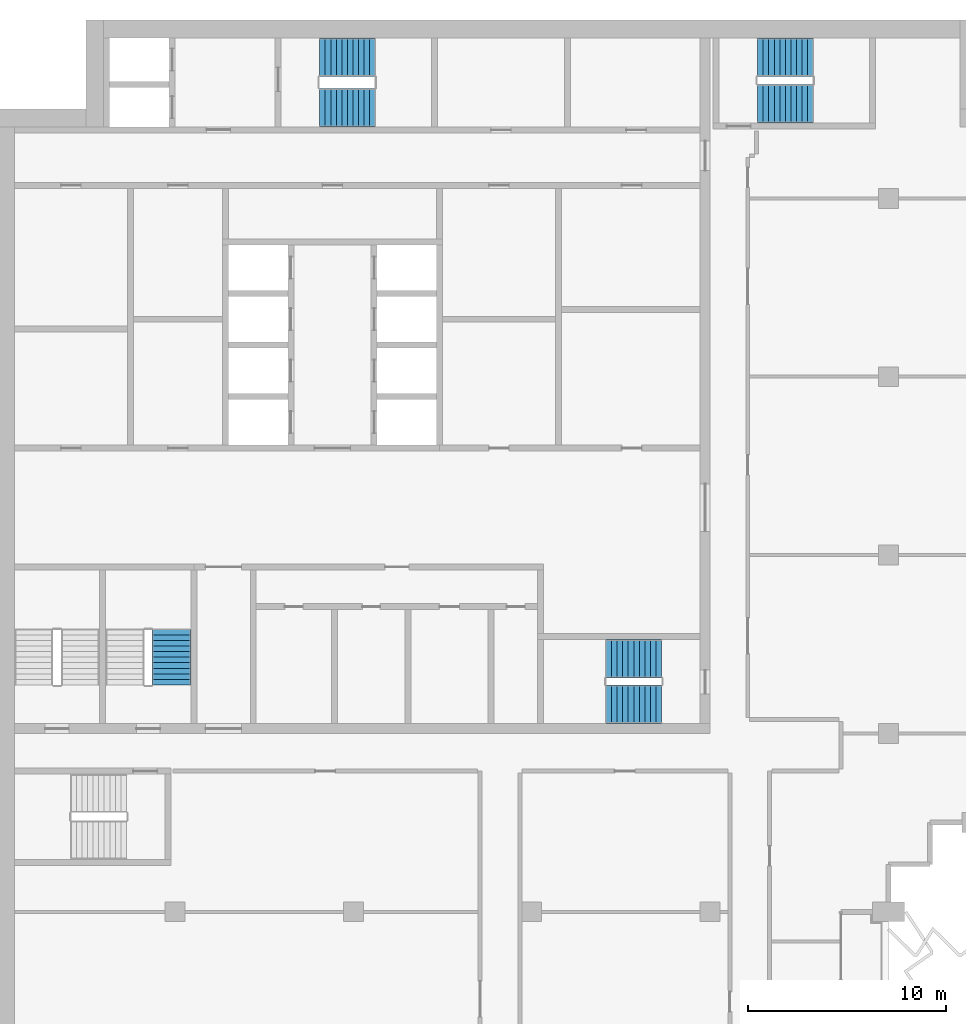
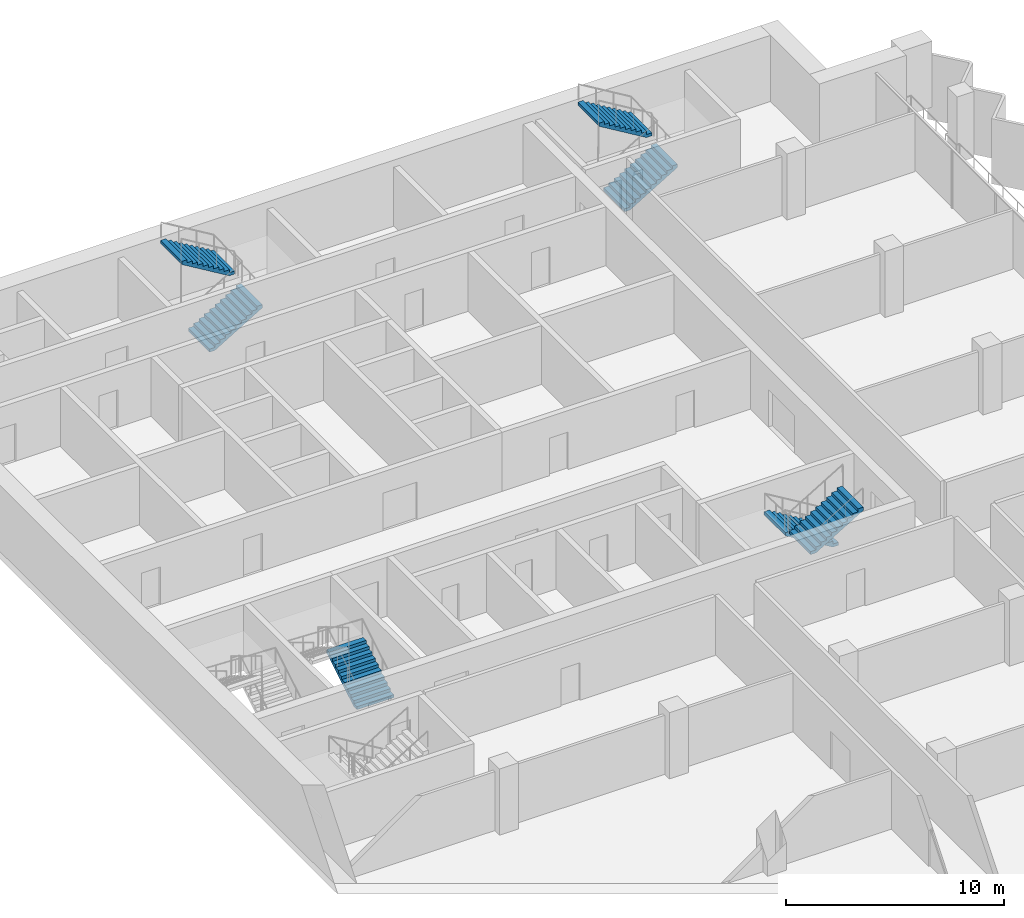
# One storey, part 11 of 15: 7 stair flights, 4 elements without a shape of their own.
"""IFC4 building model written with IfcOpenShell, lengths in metres."""

import ifcopenshell
import ifcopenshell.guid

model = None  # the IFC model being written
_history = None  # IfcOwnerHistory: only IFC2X3 demands one
_inside = {}  # id of a spatial element -> (the spatial element, [elements in it])
_under = {}  # id of a project, library or spatial element -> (it, [spatial elements below it])
_declared = {}  # id of a project -> (the project, [libraries it declares])
_typed = {}  # id of a type object -> (the type object, [elements of that type])
_made_of = {}  # id of a material, layer set ... -> (it, [elements and type objects made of it])


def new_model(schema):
    """Start an empty IFC model of exactly this schema.

    Asked for "IFC4X3", IfcOpenShell would pick the latest addendum, in which some entities
    have other attributes; the version numbers below select the first issue.
    IFC2X3 requires an IfcOwnerHistory on every rooted entity: one is made here for all.
    """
    global model, _history
    if schema == "IFC4X3":
        model = ifcopenshell.file(schema_version=(4, 3, 0, 0))
    else:
        model = ifcopenshell.file(schema=schema)
    _inside.clear()
    _under.clear()
    _declared.clear()
    _typed.clear()
    _made_of.clear()
    _history = None
    if model.schema == "IFC2X3":
        org = make("IfcOrganization", Name="unknown")
        user = make(
            "IfcPersonAndOrganization",
            ThePerson=make("IfcPerson", FamilyName="unknown"),
            TheOrganization=org,
        )
        app = make(
            "IfcApplication",
            ApplicationDeveloper=org,
            Version="unknown",
            ApplicationFullName="unknown",
            ApplicationIdentifier="unknown",
        )
        _history = make(
            "IfcOwnerHistory",
            OwningUser=user,
            OwningApplication=app,
            ChangeAction="ADDED",
            CreationDate=0,
        )
    return model


def make(cls, **values):
    """One entity of the class cls with the attributes given. An attribute that is None is left unset."""
    return model.create_entity(
        cls, **{name: value for name, value in values.items() if value is not None}
    )


def rooted(cls, **values):
    """An entity with a GlobalId (a new one), such as an element, a storey or a relation."""
    return make(cls, GlobalId=ifcopenshell.guid.new(), OwnerHistory=_history, **values)


def si_unit(unit_type, name, prefix=None):
    """IfcSIUnit, for example si_unit("LENGTHUNIT", "METRE", prefix="MILLI")."""
    return make("IfcSIUnit", UnitType=unit_type, Prefix=prefix, Name=name)


def assignment(units):
    """IfcUnitAssignment: the units of a project."""
    return None if units is None else make("IfcUnitAssignment", Units=units)


def point(xyz):
    """IfcCartesianPoint."""
    return None if xyz is None else make("IfcCartesianPoint", Coordinates=xyz)


def direction(xyz):
    """IfcDirection."""
    return None if xyz is None else make("IfcDirection", DirectionRatios=xyz)


def frame(location, z_axis=None, x_axis=None):
    """IfcAxis2Placement3D, a coordinate frame: its origin and axes. An axis left out is left unset."""
    return make(
        "IfcAxis2Placement3D",
        Location=point(location),
        Axis=direction(z_axis),
        RefDirection=direction(x_axis),
    )


def origin():
    """The frame at (0, 0, 0) with its axes left unset."""
    return frame((0.0, 0.0, 0.0))


def place(relative_to, where):
    """IfcLocalPlacement: puts the frame where relative to a parent placement (None: the world)."""
    return make(
        "IfcLocalPlacement", PlacementRelTo=relative_to, RelativePlacement=where
    )


def context(
    kind, dimensions, precision=None, world=None, true_north=None, identifier=None
):
    """IfcGeometricRepresentationContext, for example the 3D "Model" context."""
    return make(
        "IfcGeometricRepresentationContext",
        ContextIdentifier=identifier,
        ContextType=kind,
        CoordinateSpaceDimension=dimensions,
        Precision=precision,
        WorldCoordinateSystem=world,
        TrueNorth=true_north,
    )


def subcontext(parent, identifier, kind, view, scale=None):
    """IfcGeometricRepresentationSubContext, for example "Body" below "Model"."""
    return make(
        "IfcGeometricRepresentationSubContext",
        ContextIdentifier=identifier,
        ContextType=kind,
        ParentContext=parent,
        TargetScale=scale,
        TargetView=view,
    )


def project(units=None, contexts=None):
    """IfcProject with its units and contexts."""
    return rooted(
        "IfcProject",
        Name="project",
        RepresentationContexts=contexts,
        UnitsInContext=assignment(units),
    )


def spatial(cls, under=None, at=None, **own):
    """A site, building, storey or space (cls), placed at a placement, below another one or the project."""
    s = rooted(cls, ObjectPlacement=at, **own)
    if under is not None:
        _under.setdefault(under.id(), (under, []))[1].append(s)
    return s


def polyline(points):
    """IfcPolyline through the points."""
    return make("IfcPolyline", Points=[point(p) for p in points])


def outline(outer, holes=None, kind="AREA"):
    """IfcArbitraryClosedProfileDef: a profile drawn as a closed curve; with holes, ...WithVoids."""
    if holes is None:
        return make("IfcArbitraryClosedProfileDef", ProfileType=kind, OuterCurve=outer)
    return make(
        "IfcArbitraryProfileDefWithVoids",
        ProfileType=kind,
        OuterCurve=outer,
        InnerCurves=holes,
    )


def extrude(swept, where, along, depth):
    """IfcExtrudedAreaSolid: the profile swept, set in the frame where, extruded along a direction by depth."""
    return make(
        "IfcExtrudedAreaSolid",
        SweptArea=swept,
        Position=where,
        ExtrudedDirection=direction(along),
        Depth=depth,
    )


def shape(context_of_items, identifier, shape_type, items):
    """IfcShapeRepresentation: the items that make up one representation, for example the "Body"."""
    return make(
        "IfcShapeRepresentation",
        ContextOfItems=context_of_items,
        RepresentationIdentifier=identifier,
        RepresentationType=shape_type,
        Items=items,
    )


def material(Name=None, Category=None):
    """IfcMaterial."""
    return make("IfcMaterial", Name=Name, Category=Category)


def made_of(thing, what):
    """Note that an element or type object is made of a material, layer set ...; save() writes the relation."""
    if what is not None:
        _made_of.setdefault(what.id(), (what, []))[1].append(thing)
    return thing


def type_object(cls, material=None, **own):
    """A type object (cls), such as IfcWallType, which elements share."""
    return made_of(rooted(cls, **own), material)


def element(
    cls,
    number,
    at=None,
    inside=None,
    cuts=None,
    type_object=None,
    material=None,
    context=None,
    identifier="Body",
    shape_type=None,
    held_by="IfcProductDefinitionShape",
    body=None,
    shapes=None,
    **own,
):
    """One element of the class cls, such as IfcWall. Its Tag is "e" and its number.

    at: its placement. inside: the storey or other place that contains it. cuts: it is an
    opening in that element (IfcRelVoidsElement). A single representation is given by context,
    identifier, shape_type and body (its items); several are given by shapes. held_by: the class
    of the entity that holds the representations. save() writes the other relations.
    """
    e = rooted(cls, Tag="e%d" % number, ObjectPlacement=at, **own)
    if body is not None:
        shapes = [shape(context, identifier, shape_type, body)]
    if shapes is not None:
        e.Representation = make(held_by, Representations=shapes)
    if inside is not None:
        _inside.setdefault(inside.id(), (inside, []))[1].append(e)
    if cuts is not None:
        rooted(
            "IfcRelVoidsElement", RelatingBuildingElement=cuts, RelatedOpeningElement=e
        )
    if type_object is not None:
        _typed.setdefault(type_object.id(), (type_object, []))[1].append(e)
    return made_of(e, material)


def aggregate(whole, parts):
    """IfcRelAggregates: a whole, such as a stair, and the parts it consists of."""
    return rooted("IfcRelAggregates", RelatingObject=whole, RelatedObjects=parts)


def save(model, path):
    """Write the relations noted so far, then the file.

    IfcRelAggregates (storeys below a building ...), IfcRelContainedInSpatialStructure (elements
    in a storey), IfcRelDefinesByType, IfcRelAssociatesMaterial and IfcRelDeclares: one each for
    every whole, place, type object, material and project.
    """
    for whole, parts in _under.values():
        aggregate(whole, parts)
    for where, things in _inside.values():
        rooted(
            "IfcRelContainedInSpatialStructure",
            RelatedElements=things,
            RelatingStructure=where,
        )
    for kind, things in _typed.values():
        rooted("IfcRelDefinesByType", RelatedObjects=things, RelatingType=kind)
    for what, things in _made_of.values():
        rooted("IfcRelAssociatesMaterial", RelatedObjects=things, RelatingMaterial=what)
    for by, libraries in _declared.values():
        rooted("IfcRelDeclares", RelatingContext=by, RelatedDefinitions=libraries)
    model.write(path)


model = new_model("IFC4")

# Units and contexts
model_context = context("Model", 3, precision=1e-05, world=origin(), true_north=direction((0.0, 1.0)))
body_context = subcontext(model_context, "Body", "Model", "MODEL_VIEW")
ifc_project = project(units=[si_unit("LENGTHUNIT", "METRE"), si_unit("AREAUNIT", "SQUARE_METRE"), si_unit("VOLUMEUNIT", "CUBIC_METRE"), si_unit("PLANEANGLEUNIT", "RADIAN"), si_unit("MASSUNIT", "GRAM", prefix="KILO")], contexts=[model_context])

# Site, building, storey
site_placement = place(None, origin())
site = spatial("IfcSite", under=ifc_project, at=site_placement, CompositionType="ELEMENT")
building_placement = place(site_placement, origin())
building = spatial("IfcBuilding", under=site, at=building_placement, Name="Hunhe Ridgeline Campus", CompositionType="ELEMENT")
storey_placement = place(building_placement, frame((0.0, 0.0, 231.800048828125)))
storey = spatial("IfcBuildingStorey", under=building, at=storey_placement, Name="L59", CompositionType="ELEMENT", Elevation=231.800048828125)

# Stair, stair flights
ifc_material = material(Name="Concrete C40", Category="concrete")
stair_type = type_object("IfcStairType", Name="Reinforced concrete dog-leg stair 1950 Concrete C40", PredefinedType="HALF_TURN_STAIR", material=ifc_material)
stair_1_placement = place(storey_placement, origin())
stair_1 = element("IfcStair", 1, at=stair_1_placement, inside=storey, type_object=stair_type, Name="L59 S1", PredefinedType="HALF_TURN_STAIR")
stair_flight_type = type_object("IfcStairFlightType", Name="Reinforced concrete stair flight 1950 Concrete C40", PredefinedType="STRAIGHT", material=ifc_material)
stair_flight_1_placement = place(storey_placement, frame((16.300048828125, 94.574951171875, 0.0), z_axis=(0.0, 0.0, 1.0), x_axis=(1.0, 0.0, 0.0)))
stair_flight_1 = element("IfcStairFlight", 2, at=stair_flight_1_placement, type_object=stair_flight_type, Name="ST1 flight 1", NumberOfRisers=11, NumberOfTreads=10, PredefinedType="STRAIGHT", RiserHeight=0.168181818, TreadLength=0.28, context=body_context, shape_type="SweptSolid", body=[
    extrude(outline(polyline([(0.0, 0.0), (0.0, 0.168212890625), (0.280029296875, 0.168212890625), (0.280029296875, 0.33642578125), (0.56005859375, 0.33642578125), (0.56005859375, 0.504638671875), (0.840087890625, 0.504638671875), (0.840087890625, 0.672607421875), (1.1201171875, 0.672607421875), (1.1201171875, 0.8408203125), (1.39990234375, 0.8408203125), (1.39990234375, 1.009033203125), (1.679931640625, 1.009033203125), (1.679931640625, 1.17724609375), (1.9599609375, 1.17724609375), (1.9599609375, 1.345458984375), (2.239990234375, 1.345458984375), (2.239990234375, 1.513671875), (2.52001953125, 1.513671875), (2.52001953125, 1.681884765625), (2.800048828125, 1.681884765625), (2.800048828125, 1.85009765625), (2.800048828125, 1.5068359375), (0.291015625, 0.0), (0.0, 0.0)])), frame((0.0, 0.97509765625, 0.0), z_axis=(0.0, -1.0, 0.0), x_axis=(1.0, 0.0, 0.0)), (0.0, 0.0, 1.0), 1.949951171875),
    extrude(outline(polyline([(0.030029296875, 0.030029296875), (0.030029296875, 0.13818359375), (0.31005859375, 0.13818359375), (0.31005859375, 0.306396484375), (0.590087890625, 0.306396484375), (0.590087890625, 0.474609375), (0.8701171875, 0.474609375), (0.8701171875, 0.642578125), (1.14990234375, 0.642578125), (1.14990234375, 0.810791015625), (1.429931640625, 0.810791015625), (1.429931640625, 0.97900390625), (1.7099609375, 0.97900390625), (1.7099609375, 1.147216796875), (1.989990234375, 1.147216796875), (1.989990234375, 1.3154296875), (2.27001953125, 1.3154296875), (2.27001953125, 1.483642578125), (2.550048828125, 1.483642578125), (2.550048828125, 1.65185546875), (2.77001953125, 1.65185546875), (2.77001953125, 1.52392578125), (0.28271484375, 0.030029296875), (0.030029296875, 0.030029296875)])), frame((0.0, -0.070068359375, 0.0), z_axis=(0.0, -1.0, 0.0), x_axis=(1.0, 0.0, 0.0)), (0.0, 0.0, 1.0), 0.019775390625),
    extrude(outline(polyline([(0.030029296875, 0.030029296875), (0.030029296875, 0.13818359375), (0.31005859375, 0.13818359375), (0.31005859375, 0.306396484375), (0.590087890625, 0.306396484375), (0.590087890625, 0.474609375), (0.8701171875, 0.474609375), (0.8701171875, 0.642578125), (1.14990234375, 0.642578125), (1.14990234375, 0.810791015625), (1.429931640625, 0.810791015625), (1.429931640625, 0.97900390625), (1.7099609375, 0.97900390625), (1.7099609375, 1.147216796875), (1.989990234375, 1.147216796875), (1.989990234375, 1.3154296875), (2.27001953125, 1.3154296875), (2.27001953125, 1.483642578125), (2.550048828125, 1.483642578125), (2.550048828125, 1.65185546875), (2.77001953125, 1.65185546875), (2.77001953125, 1.52392578125), (0.28271484375, 0.030029296875), (0.030029296875, 0.030029296875)])), frame((0.0, 0.010009765625, 0.0), z_axis=(0.0, -1.0, 0.0), x_axis=(1.0, 0.0, 0.0)), (0.0, 0.0, 1.0), 0.019775390625),
    extrude(outline(polyline([(0.030029296875, 0.030029296875), (0.030029296875, 0.13818359375), (0.31005859375, 0.13818359375), (0.31005859375, 0.306396484375), (0.590087890625, 0.306396484375), (0.590087890625, 0.474609375), (0.8701171875, 0.474609375), (0.8701171875, 0.642578125), (1.14990234375, 0.642578125), (1.14990234375, 0.810791015625), (1.429931640625, 0.810791015625), (1.429931640625, 0.97900390625), (1.7099609375, 0.97900390625), (1.7099609375, 1.147216796875), (1.989990234375, 1.147216796875), (1.989990234375, 1.3154296875), (2.27001953125, 1.3154296875), (2.27001953125, 1.483642578125), (2.550048828125, 1.483642578125), (2.550048828125, 1.65185546875), (2.77001953125, 1.65185546875), (2.77001953125, 1.52392578125), (0.28271484375, 0.030029296875), (0.030029296875, 0.030029296875)])), frame((0.0, 0.090087890625, 0.0), z_axis=(0.0, -1.0, 0.0), x_axis=(1.0, 0.0, 0.0)), (0.0, 0.0, 1.0), 0.019775390625),
])
stair_flight_2_placement = place(storey_placement, frame((19.10009765625, 97.125, 1.849853515625), z_axis=(0.0, 0.0, 1.0), x_axis=(-1.0, 0.0, 0.0)))
stair_flight_2 = element("IfcStairFlight", 3, at=stair_flight_2_placement, type_object=stair_flight_type, Name="ST1 flight 2", NumberOfRisers=11, NumberOfTreads=10, PredefinedType="STRAIGHT", RiserHeight=0.168181818, TreadLength=0.28, context=body_context, shape_type="SweptSolid", body=[
    extrude(outline(polyline([(0.0, 0.0), (0.0, 0.168212890625), (0.280029296875, 0.168212890625), (0.280029296875, 0.33642578125), (0.56005859375, 0.33642578125), (0.56005859375, 0.504638671875), (0.840087890625, 0.504638671875), (0.840087890625, 0.672607421875), (1.1201171875, 0.672607421875), (1.1201171875, 0.8408203125), (1.39990234375, 0.8408203125), (1.39990234375, 1.009033203125), (1.679931640625, 1.009033203125), (1.679931640625, 1.17724609375), (1.9599609375, 1.17724609375), (1.9599609375, 1.345458984375), (2.239990234375, 1.345458984375), (2.239990234375, 1.513671875), (2.52001953125, 1.513671875), (2.52001953125, 1.681884765625), (2.800048828125, 1.681884765625), (2.800048828125, 1.85009765625), (2.800048828125, 1.5068359375), (0.291015625, 0.0), (0.0, 0.0)])), frame((0.0, 0.97509765625, 0.0), z_axis=(0.0, -1.0, 0.0), x_axis=(1.0, 0.0, 0.0)), (0.0, 0.0, 1.0), 1.949951171875),
    extrude(outline(polyline([(0.030029296875, 0.030029296875), (0.030029296875, 0.13818359375), (0.31005859375, 0.13818359375), (0.31005859375, 0.306396484375), (0.590087890625, 0.306396484375), (0.590087890625, 0.474609375), (0.8701171875, 0.474609375), (0.8701171875, 0.642578125), (1.14990234375, 0.642578125), (1.14990234375, 0.810791015625), (1.429931640625, 0.810791015625), (1.429931640625, 0.97900390625), (1.7099609375, 0.97900390625), (1.7099609375, 1.147216796875), (1.989990234375, 1.147216796875), (1.989990234375, 1.3154296875), (2.27001953125, 1.3154296875), (2.27001953125, 1.483642578125), (2.550048828125, 1.483642578125), (2.550048828125, 1.65185546875), (2.77001953125, 1.65185546875), (2.77001953125, 1.52392578125), (0.28271484375, 0.030029296875), (0.030029296875, 0.030029296875)])), frame((0.0, -0.070068359375, 0.0), z_axis=(0.0, -1.0, 0.0), x_axis=(1.0, 0.0, 0.0)), (0.0, 0.0, 1.0), 0.019775390625),
    extrude(outline(polyline([(0.030029296875, 0.030029296875), (0.030029296875, 0.13818359375), (0.31005859375, 0.13818359375), (0.31005859375, 0.306396484375), (0.590087890625, 0.306396484375), (0.590087890625, 0.474609375), (0.8701171875, 0.474609375), (0.8701171875, 0.642578125), (1.14990234375, 0.642578125), (1.14990234375, 0.810791015625), (1.429931640625, 0.810791015625), (1.429931640625, 0.97900390625), (1.7099609375, 0.97900390625), (1.7099609375, 1.147216796875), (1.989990234375, 1.147216796875), (1.989990234375, 1.3154296875), (2.27001953125, 1.3154296875), (2.27001953125, 1.483642578125), (2.550048828125, 1.483642578125), (2.550048828125, 1.65185546875), (2.77001953125, 1.65185546875), (2.77001953125, 1.52392578125), (0.28271484375, 0.030029296875), (0.030029296875, 0.030029296875)])), frame((0.0, 0.010009765625, 0.0), z_axis=(0.0, -1.0, 0.0), x_axis=(1.0, 0.0, 0.0)), (0.0, 0.0, 1.0), 0.019775390625),
    extrude(outline(polyline([(0.030029296875, 0.030029296875), (0.030029296875, 0.13818359375), (0.31005859375, 0.13818359375), (0.31005859375, 0.306396484375), (0.590087890625, 0.306396484375), (0.590087890625, 0.474609375), (0.8701171875, 0.474609375), (0.8701171875, 0.642578125), (1.14990234375, 0.642578125), (1.14990234375, 0.810791015625), (1.429931640625, 0.810791015625), (1.429931640625, 0.97900390625), (1.7099609375, 0.97900390625), (1.7099609375, 1.147216796875), (1.989990234375, 1.147216796875), (1.989990234375, 1.3154296875), (2.27001953125, 1.3154296875), (2.27001953125, 1.483642578125), (2.550048828125, 1.483642578125), (2.550048828125, 1.65185546875), (2.77001953125, 1.65185546875), (2.77001953125, 1.52392578125), (0.28271484375, 0.030029296875), (0.030029296875, 0.030029296875)])), frame((0.0, 0.090087890625, 0.0), z_axis=(0.0, -1.0, 0.0), x_axis=(1.0, 0.0, 0.0)), (0.0, 0.0, 1.0), 0.019775390625),
])
aggregate(stair_1, [stair_flight_1, stair_flight_2])

stair_2_placement = place(storey_placement, origin())
stair_2 = element("IfcStair", 4, at=stair_2_placement, inside=storey, type_object=stair_type, Name="L59 S2", PredefinedType="HALF_TURN_STAIR")
stair_flight_3_placement = place(storey_placement, frame((33.550048828125, 66.77490234375, 0.0), z_axis=(0.0, 0.0, 1.0), x_axis=(-1.0, 0.0, 0.0)))
stair_flight_3 = element("IfcStairFlight", 5, at=stair_flight_3_placement, type_object=stair_flight_type, Name="ST2 flight 1", NumberOfRisers=11, NumberOfTreads=10, PredefinedType="STRAIGHT", RiserHeight=0.168181818, TreadLength=0.28, context=body_context, shape_type="SweptSolid", body=[
    extrude(outline(polyline([(0.0, 0.0), (0.0, 0.168212890625), (0.280029296875, 0.168212890625), (0.280029296875, 0.33642578125), (0.56005859375, 0.33642578125), (0.56005859375, 0.504638671875), (0.840087890625, 0.504638671875), (0.840087890625, 0.672607421875), (1.1201171875, 0.672607421875), (1.1201171875, 0.8408203125), (1.39990234375, 0.8408203125), (1.39990234375, 1.009033203125), (1.679931640625, 1.009033203125), (1.679931640625, 1.17724609375), (1.9599609375, 1.17724609375), (1.9599609375, 1.345458984375), (2.239990234375, 1.345458984375), (2.239990234375, 1.513671875), (2.52001953125, 1.513671875), (2.52001953125, 1.681884765625), (2.800048828125, 1.681884765625), (2.800048828125, 1.85009765625), (2.800048828125, 1.5068359375), (0.291015625, 0.0), (0.0, 0.0)])), frame((0.0, 0.97509765625, 0.0), z_axis=(0.0, -1.0, 0.0), x_axis=(1.0, 0.0, 0.0)), (0.0, 0.0, 1.0), 1.949951171875),
    extrude(outline(polyline([(0.030029296875, 0.030029296875), (0.030029296875, 0.13818359375), (0.31005859375, 0.13818359375), (0.31005859375, 0.306396484375), (0.590087890625, 0.306396484375), (0.590087890625, 0.474609375), (0.8701171875, 0.474609375), (0.8701171875, 0.642578125), (1.14990234375, 0.642578125), (1.14990234375, 0.810791015625), (1.429931640625, 0.810791015625), (1.429931640625, 0.97900390625), (1.7099609375, 0.97900390625), (1.7099609375, 1.147216796875), (1.989990234375, 1.147216796875), (1.989990234375, 1.3154296875), (2.27001953125, 1.3154296875), (2.27001953125, 1.483642578125), (2.550048828125, 1.483642578125), (2.550048828125, 1.65185546875), (2.77001953125, 1.65185546875), (2.77001953125, 1.52392578125), (0.28271484375, 0.030029296875), (0.030029296875, 0.030029296875)])), frame((0.0, -0.070068359375, 0.0), z_axis=(0.0, -1.0, 0.0), x_axis=(1.0, 0.0, 0.0)), (0.0, 0.0, 1.0), 0.019775390625),
    extrude(outline(polyline([(0.030029296875, 0.030029296875), (0.030029296875, 0.13818359375), (0.31005859375, 0.13818359375), (0.31005859375, 0.306396484375), (0.590087890625, 0.306396484375), (0.590087890625, 0.474609375), (0.8701171875, 0.474609375), (0.8701171875, 0.642578125), (1.14990234375, 0.642578125), (1.14990234375, 0.810791015625), (1.429931640625, 0.810791015625), (1.429931640625, 0.97900390625), (1.7099609375, 0.97900390625), (1.7099609375, 1.147216796875), (1.989990234375, 1.147216796875), (1.989990234375, 1.3154296875), (2.27001953125, 1.3154296875), (2.27001953125, 1.483642578125), (2.550048828125, 1.483642578125), (2.550048828125, 1.65185546875), (2.77001953125, 1.65185546875), (2.77001953125, 1.52392578125), (0.28271484375, 0.030029296875), (0.030029296875, 0.030029296875)])), frame((0.0, 0.010009765625, 0.0), z_axis=(0.0, -1.0, 0.0), x_axis=(1.0, 0.0, 0.0)), (0.0, 0.0, 1.0), 0.019775390625),
    extrude(outline(polyline([(0.030029296875, 0.030029296875), (0.030029296875, 0.13818359375), (0.31005859375, 0.13818359375), (0.31005859375, 0.306396484375), (0.590087890625, 0.306396484375), (0.590087890625, 0.474609375), (0.8701171875, 0.474609375), (0.8701171875, 0.642578125), (1.14990234375, 0.642578125), (1.14990234375, 0.810791015625), (1.429931640625, 0.810791015625), (1.429931640625, 0.97900390625), (1.7099609375, 0.97900390625), (1.7099609375, 1.147216796875), (1.989990234375, 1.147216796875), (1.989990234375, 1.3154296875), (2.27001953125, 1.3154296875), (2.27001953125, 1.483642578125), (2.550048828125, 1.483642578125), (2.550048828125, 1.65185546875), (2.77001953125, 1.65185546875), (2.77001953125, 1.52392578125), (0.28271484375, 0.030029296875), (0.030029296875, 0.030029296875)])), frame((0.0, 0.090087890625, 0.0), z_axis=(0.0, -1.0, 0.0), x_axis=(1.0, 0.0, 0.0)), (0.0, 0.0, 1.0), 0.019775390625),
])
stair_flight_4_placement = place(storey_placement, frame((30.75, 64.47509765625, 1.849853515625), z_axis=(0.0, 0.0, 1.0), x_axis=(1.0, 0.0, 0.0)))
stair_flight_4 = element("IfcStairFlight", 6, at=stair_flight_4_placement, type_object=stair_flight_type, Name="ST2 flight 2", NumberOfRisers=11, NumberOfTreads=10, PredefinedType="STRAIGHT", RiserHeight=0.168181818, TreadLength=0.28, context=body_context, shape_type="SweptSolid", body=[
    extrude(outline(polyline([(0.0, 0.0), (0.0, 0.168212890625), (0.280029296875, 0.168212890625), (0.280029296875, 0.33642578125), (0.56005859375, 0.33642578125), (0.56005859375, 0.504638671875), (0.840087890625, 0.504638671875), (0.840087890625, 0.672607421875), (1.1201171875, 0.672607421875), (1.1201171875, 0.8408203125), (1.39990234375, 0.8408203125), (1.39990234375, 1.009033203125), (1.679931640625, 1.009033203125), (1.679931640625, 1.17724609375), (1.9599609375, 1.17724609375), (1.9599609375, 1.345458984375), (2.239990234375, 1.345458984375), (2.239990234375, 1.513671875), (2.52001953125, 1.513671875), (2.52001953125, 1.681884765625), (2.800048828125, 1.681884765625), (2.800048828125, 1.85009765625), (2.800048828125, 1.5068359375), (0.291015625, 0.0), (0.0, 0.0)])), frame((0.0, 0.97509765625, 0.0), z_axis=(0.0, -1.0, 0.0), x_axis=(1.0, 0.0, 0.0)), (0.0, 0.0, 1.0), 1.949951171875),
    extrude(outline(polyline([(0.030029296875, 0.030029296875), (0.030029296875, 0.13818359375), (0.31005859375, 0.13818359375), (0.31005859375, 0.306396484375), (0.590087890625, 0.306396484375), (0.590087890625, 0.474609375), (0.8701171875, 0.474609375), (0.8701171875, 0.642578125), (1.14990234375, 0.642578125), (1.14990234375, 0.810791015625), (1.429931640625, 0.810791015625), (1.429931640625, 0.97900390625), (1.7099609375, 0.97900390625), (1.7099609375, 1.147216796875), (1.989990234375, 1.147216796875), (1.989990234375, 1.3154296875), (2.27001953125, 1.3154296875), (2.27001953125, 1.483642578125), (2.550048828125, 1.483642578125), (2.550048828125, 1.65185546875), (2.77001953125, 1.65185546875), (2.77001953125, 1.52392578125), (0.28271484375, 0.030029296875), (0.030029296875, 0.030029296875)])), frame((0.0, -0.070068359375, 0.0), z_axis=(0.0, -1.0, 0.0), x_axis=(1.0, 0.0, 0.0)), (0.0, 0.0, 1.0), 0.019775390625),
    extrude(outline(polyline([(0.030029296875, 0.030029296875), (0.030029296875, 0.13818359375), (0.31005859375, 0.13818359375), (0.31005859375, 0.306396484375), (0.590087890625, 0.306396484375), (0.590087890625, 0.474609375), (0.8701171875, 0.474609375), (0.8701171875, 0.642578125), (1.14990234375, 0.642578125), (1.14990234375, 0.810791015625), (1.429931640625, 0.810791015625), (1.429931640625, 0.97900390625), (1.7099609375, 0.97900390625), (1.7099609375, 1.147216796875), (1.989990234375, 1.147216796875), (1.989990234375, 1.3154296875), (2.27001953125, 1.3154296875), (2.27001953125, 1.483642578125), (2.550048828125, 1.483642578125), (2.550048828125, 1.65185546875), (2.77001953125, 1.65185546875), (2.77001953125, 1.52392578125), (0.28271484375, 0.030029296875), (0.030029296875, 0.030029296875)])), frame((0.0, 0.010009765625, 0.0), z_axis=(0.0, -1.0, 0.0), x_axis=(1.0, 0.0, 0.0)), (0.0, 0.0, 1.0), 0.019775390625),
    extrude(outline(polyline([(0.030029296875, 0.030029296875), (0.030029296875, 0.13818359375), (0.31005859375, 0.13818359375), (0.31005859375, 0.306396484375), (0.590087890625, 0.306396484375), (0.590087890625, 0.474609375), (0.8701171875, 0.474609375), (0.8701171875, 0.642578125), (1.14990234375, 0.642578125), (1.14990234375, 0.810791015625), (1.429931640625, 0.810791015625), (1.429931640625, 0.97900390625), (1.7099609375, 0.97900390625), (1.7099609375, 1.147216796875), (1.989990234375, 1.147216796875), (1.989990234375, 1.3154296875), (2.27001953125, 1.3154296875), (2.27001953125, 1.483642578125), (2.550048828125, 1.483642578125), (2.550048828125, 1.65185546875), (2.77001953125, 1.65185546875), (2.77001953125, 1.52392578125), (0.28271484375, 0.030029296875), (0.030029296875, 0.030029296875)])), frame((0.0, 0.090087890625, 0.0), z_axis=(0.0, -1.0, 0.0), x_axis=(1.0, 0.0, 0.0)), (0.0, 0.0, 1.0), 0.019775390625),
])
aggregate(stair_2, [stair_flight_3, stair_flight_4])

# Stair, stair flight
stair_3_placement = place(storey_placement, origin())
stair_3 = element("IfcStair", 7, at=stair_3_placement, inside=storey, type_object=stair_type, Name="L59 S4", PredefinedType="HALF_TURN_STAIR")
stair_flight_5_placement = place(storey_placement, frame((8.824951171875, 65.449951171875, 0.0), z_axis=(0.0, 0.0, 1.0), x_axis=(0.0, 1.0, 0.0)))
stair_flight_5 = element("IfcStairFlight", 8, at=stair_flight_5_placement, type_object=stair_flight_type, Name="ST4 flight 1", NumberOfRisers=11, NumberOfTreads=10, PredefinedType="STRAIGHT", RiserHeight=0.168181818, TreadLength=0.28, context=body_context, shape_type="SweptSolid", body=[
    extrude(outline(polyline([(0.0, 0.0), (0.0, 0.168212890625), (0.280029296875, 0.168212890625), (0.280029296875, 0.33642578125), (0.56005859375, 0.33642578125), (0.56005859375, 0.504638671875), (0.840087890625, 0.504638671875), (0.840087890625, 0.672607421875), (1.1201171875, 0.672607421875), (1.1201171875, 0.8408203125), (1.39990234375, 0.8408203125), (1.39990234375, 1.009033203125), (1.679931640625, 1.009033203125), (1.679931640625, 1.17724609375), (1.9599609375, 1.17724609375), (1.9599609375, 1.345458984375), (2.239990234375, 1.345458984375), (2.239990234375, 1.513671875), (2.52001953125, 1.513671875), (2.52001953125, 1.681884765625), (2.800048828125, 1.681884765625), (2.800048828125, 1.85009765625), (2.800048828125, 1.5068359375), (0.291015625, 0.0), (0.0, 0.0)])), frame((0.0, 0.97509765625, 0.0), z_axis=(0.0, -1.0, 0.0), x_axis=(1.0, 0.0, 0.0)), (0.0, 0.0, 1.0), 1.949951171875),
    extrude(outline(polyline([(0.030029296875, 0.030029296875), (0.030029296875, 0.13818359375), (0.31005859375, 0.13818359375), (0.31005859375, 0.306396484375), (0.590087890625, 0.306396484375), (0.590087890625, 0.474609375), (0.8701171875, 0.474609375), (0.8701171875, 0.642578125), (1.14990234375, 0.642578125), (1.14990234375, 0.810791015625), (1.429931640625, 0.810791015625), (1.429931640625, 0.97900390625), (1.7099609375, 0.97900390625), (1.7099609375, 1.147216796875), (1.989990234375, 1.147216796875), (1.989990234375, 1.3154296875), (2.27001953125, 1.3154296875), (2.27001953125, 1.483642578125), (2.550048828125, 1.483642578125), (2.550048828125, 1.65185546875), (2.77001953125, 1.65185546875), (2.77001953125, 1.52392578125), (0.28271484375, 0.030029296875), (0.030029296875, 0.030029296875)])), frame((0.0, -0.070068359375, 0.0), z_axis=(0.0, -1.0, 0.0), x_axis=(1.0, 0.0, 0.0)), (0.0, 0.0, 1.0), 0.019775390625),
    extrude(outline(polyline([(0.030029296875, 0.030029296875), (0.030029296875, 0.13818359375), (0.31005859375, 0.13818359375), (0.31005859375, 0.306396484375), (0.590087890625, 0.306396484375), (0.590087890625, 0.474609375), (0.8701171875, 0.474609375), (0.8701171875, 0.642578125), (1.14990234375, 0.642578125), (1.14990234375, 0.810791015625), (1.429931640625, 0.810791015625), (1.429931640625, 0.97900390625), (1.7099609375, 0.97900390625), (1.7099609375, 1.147216796875), (1.989990234375, 1.147216796875), (1.989990234375, 1.3154296875), (2.27001953125, 1.3154296875), (2.27001953125, 1.483642578125), (2.550048828125, 1.483642578125), (2.550048828125, 1.65185546875), (2.77001953125, 1.65185546875), (2.77001953125, 1.52392578125), (0.28271484375, 0.030029296875), (0.030029296875, 0.030029296875)])), frame((0.0, 0.010009765625, 0.0), z_axis=(0.0, -1.0, 0.0), x_axis=(1.0, 0.0, 0.0)), (0.0, 0.0, 1.0), 0.019775390625),
    extrude(outline(polyline([(0.030029296875, 0.030029296875), (0.030029296875, 0.13818359375), (0.31005859375, 0.13818359375), (0.31005859375, 0.306396484375), (0.590087890625, 0.306396484375), (0.590087890625, 0.474609375), (0.8701171875, 0.474609375), (0.8701171875, 0.642578125), (1.14990234375, 0.642578125), (1.14990234375, 0.810791015625), (1.429931640625, 0.810791015625), (1.429931640625, 0.97900390625), (1.7099609375, 0.97900390625), (1.7099609375, 1.147216796875), (1.989990234375, 1.147216796875), (1.989990234375, 1.3154296875), (2.27001953125, 1.3154296875), (2.27001953125, 1.483642578125), (2.550048828125, 1.483642578125), (2.550048828125, 1.65185546875), (2.77001953125, 1.65185546875), (2.77001953125, 1.52392578125), (0.28271484375, 0.030029296875), (0.030029296875, 0.030029296875)])), frame((0.0, 0.090087890625, 0.0), z_axis=(0.0, -1.0, 0.0), x_axis=(1.0, 0.0, 0.0)), (0.0, 0.0, 1.0), 0.019775390625),
])
aggregate(stair_3, [stair_flight_5])

# Stair, stair flights
stair_4_placement = place(storey_placement, origin())
stair_4 = element("IfcStair", 9, at=stair_4_placement, inside=storey, type_object=stair_type, Name="L59 E1", PredefinedType="HALF_TURN_STAIR")
stair_flight_6_placement = place(storey_placement, frame((38.39990234375, 94.77490234375, 0.0), z_axis=(0.0, 0.0, 1.0), x_axis=(1.0, 0.0, 0.0)))
stair_flight_6 = element("IfcStairFlight", 10, at=stair_flight_6_placement, type_object=stair_flight_type, Name="ST5 flight 1", NumberOfRisers=11, NumberOfTreads=10, PredefinedType="STRAIGHT", RiserHeight=0.168181818, TreadLength=0.28, context=body_context, shape_type="SweptSolid", body=[
    extrude(outline(polyline([(0.0, 0.0), (0.0, 0.168212890625), (0.280029296875, 0.168212890625), (0.280029296875, 0.33642578125), (0.56005859375, 0.33642578125), (0.56005859375, 0.504638671875), (0.840087890625, 0.504638671875), (0.840087890625, 0.672607421875), (1.1201171875, 0.672607421875), (1.1201171875, 0.8408203125), (1.39990234375, 0.8408203125), (1.39990234375, 1.009033203125), (1.679931640625, 1.009033203125), (1.679931640625, 1.17724609375), (1.9599609375, 1.17724609375), (1.9599609375, 1.345458984375), (2.239990234375, 1.345458984375), (2.239990234375, 1.513671875), (2.52001953125, 1.513671875), (2.52001953125, 1.681884765625), (2.800048828125, 1.681884765625), (2.800048828125, 1.85009765625), (2.800048828125, 1.5068359375), (0.291015625, 0.0), (0.0, 0.0)])), frame((0.0, 0.97509765625, 0.0), z_axis=(0.0, -1.0, 0.0), x_axis=(1.0, 0.0, 0.0)), (0.0, 0.0, 1.0), 1.949951171875),
    extrude(outline(polyline([(0.030029296875, 0.030029296875), (0.030029296875, 0.13818359375), (0.31005859375, 0.13818359375), (0.31005859375, 0.306396484375), (0.590087890625, 0.306396484375), (0.590087890625, 0.474609375), (0.8701171875, 0.474609375), (0.8701171875, 0.642578125), (1.14990234375, 0.642578125), (1.14990234375, 0.810791015625), (1.429931640625, 0.810791015625), (1.429931640625, 0.97900390625), (1.7099609375, 0.97900390625), (1.7099609375, 1.147216796875), (1.989990234375, 1.147216796875), (1.989990234375, 1.3154296875), (2.27001953125, 1.3154296875), (2.27001953125, 1.483642578125), (2.550048828125, 1.483642578125), (2.550048828125, 1.65185546875), (2.77001953125, 1.65185546875), (2.77001953125, 1.52392578125), (0.28271484375, 0.030029296875), (0.030029296875, 0.030029296875)])), frame((0.0, -0.070068359375, 0.0), z_axis=(0.0, -1.0, 0.0), x_axis=(1.0, 0.0, 0.0)), (0.0, 0.0, 1.0), 0.019775390625),
    extrude(outline(polyline([(0.030029296875, 0.030029296875), (0.030029296875, 0.13818359375), (0.31005859375, 0.13818359375), (0.31005859375, 0.306396484375), (0.590087890625, 0.306396484375), (0.590087890625, 0.474609375), (0.8701171875, 0.474609375), (0.8701171875, 0.642578125), (1.14990234375, 0.642578125), (1.14990234375, 0.810791015625), (1.429931640625, 0.810791015625), (1.429931640625, 0.97900390625), (1.7099609375, 0.97900390625), (1.7099609375, 1.147216796875), (1.989990234375, 1.147216796875), (1.989990234375, 1.3154296875), (2.27001953125, 1.3154296875), (2.27001953125, 1.483642578125), (2.550048828125, 1.483642578125), (2.550048828125, 1.65185546875), (2.77001953125, 1.65185546875), (2.77001953125, 1.52392578125), (0.28271484375, 0.030029296875), (0.030029296875, 0.030029296875)])), frame((0.0, 0.010009765625, 0.0), z_axis=(0.0, -1.0, 0.0), x_axis=(1.0, 0.0, 0.0)), (0.0, 0.0, 1.0), 0.019775390625),
    extrude(outline(polyline([(0.030029296875, 0.030029296875), (0.030029296875, 0.13818359375), (0.31005859375, 0.13818359375), (0.31005859375, 0.306396484375), (0.590087890625, 0.306396484375), (0.590087890625, 0.474609375), (0.8701171875, 0.474609375), (0.8701171875, 0.642578125), (1.14990234375, 0.642578125), (1.14990234375, 0.810791015625), (1.429931640625, 0.810791015625), (1.429931640625, 0.97900390625), (1.7099609375, 0.97900390625), (1.7099609375, 1.147216796875), (1.989990234375, 1.147216796875), (1.989990234375, 1.3154296875), (2.27001953125, 1.3154296875), (2.27001953125, 1.483642578125), (2.550048828125, 1.483642578125), (2.550048828125, 1.65185546875), (2.77001953125, 1.65185546875), (2.77001953125, 1.52392578125), (0.28271484375, 0.030029296875), (0.030029296875, 0.030029296875)])), frame((0.0, 0.090087890625, 0.0), z_axis=(0.0, -1.0, 0.0), x_axis=(1.0, 0.0, 0.0)), (0.0, 0.0, 1.0), 0.019775390625),
])
stair_flight_7_placement = place(storey_placement, frame((41.199951171875, 97.125, 1.849853515625), z_axis=(0.0, 0.0, 1.0), x_axis=(-1.0, 0.0, 0.0)))
stair_flight_7 = element("IfcStairFlight", 11, at=stair_flight_7_placement, type_object=stair_flight_type, Name="ST5 flight 2", NumberOfRisers=11, NumberOfTreads=10, PredefinedType="STRAIGHT", RiserHeight=0.168181818, TreadLength=0.28, context=body_context, shape_type="SweptSolid", body=[
    extrude(outline(polyline([(0.0, 0.0), (0.0, 0.168212890625), (0.280029296875, 0.168212890625), (0.280029296875, 0.33642578125), (0.56005859375, 0.33642578125), (0.56005859375, 0.504638671875), (0.840087890625, 0.504638671875), (0.840087890625, 0.672607421875), (1.1201171875, 0.672607421875), (1.1201171875, 0.8408203125), (1.39990234375, 0.8408203125), (1.39990234375, 1.009033203125), (1.679931640625, 1.009033203125), (1.679931640625, 1.17724609375), (1.9599609375, 1.17724609375), (1.9599609375, 1.345458984375), (2.239990234375, 1.345458984375), (2.239990234375, 1.513671875), (2.52001953125, 1.513671875), (2.52001953125, 1.681884765625), (2.800048828125, 1.681884765625), (2.800048828125, 1.85009765625), (2.800048828125, 1.5068359375), (0.291015625, 0.0), (0.0, 0.0)])), frame((0.0, 0.97509765625, 0.0), z_axis=(0.0, -1.0, 0.0), x_axis=(1.0, 0.0, 0.0)), (0.0, 0.0, 1.0), 1.949951171875),
    extrude(outline(polyline([(0.030029296875, 0.030029296875), (0.030029296875, 0.13818359375), (0.31005859375, 0.13818359375), (0.31005859375, 0.306396484375), (0.590087890625, 0.306396484375), (0.590087890625, 0.474609375), (0.8701171875, 0.474609375), (0.8701171875, 0.642578125), (1.14990234375, 0.642578125), (1.14990234375, 0.810791015625), (1.429931640625, 0.810791015625), (1.429931640625, 0.97900390625), (1.7099609375, 0.97900390625), (1.7099609375, 1.147216796875), (1.989990234375, 1.147216796875), (1.989990234375, 1.3154296875), (2.27001953125, 1.3154296875), (2.27001953125, 1.483642578125), (2.550048828125, 1.483642578125), (2.550048828125, 1.65185546875), (2.77001953125, 1.65185546875), (2.77001953125, 1.52392578125), (0.28271484375, 0.030029296875), (0.030029296875, 0.030029296875)])), frame((0.0, -0.070068359375, 0.0), z_axis=(0.0, -1.0, 0.0), x_axis=(1.0, 0.0, 0.0)), (0.0, 0.0, 1.0), 0.019775390625),
    extrude(outline(polyline([(0.030029296875, 0.030029296875), (0.030029296875, 0.13818359375), (0.31005859375, 0.13818359375), (0.31005859375, 0.306396484375), (0.590087890625, 0.306396484375), (0.590087890625, 0.474609375), (0.8701171875, 0.474609375), (0.8701171875, 0.642578125), (1.14990234375, 0.642578125), (1.14990234375, 0.810791015625), (1.429931640625, 0.810791015625), (1.429931640625, 0.97900390625), (1.7099609375, 0.97900390625), (1.7099609375, 1.147216796875), (1.989990234375, 1.147216796875), (1.989990234375, 1.3154296875), (2.27001953125, 1.3154296875), (2.27001953125, 1.483642578125), (2.550048828125, 1.483642578125), (2.550048828125, 1.65185546875), (2.77001953125, 1.65185546875), (2.77001953125, 1.52392578125), (0.28271484375, 0.030029296875), (0.030029296875, 0.030029296875)])), frame((0.0, 0.010009765625, 0.0), z_axis=(0.0, -1.0, 0.0), x_axis=(1.0, 0.0, 0.0)), (0.0, 0.0, 1.0), 0.019775390625),
    extrude(outline(polyline([(0.030029296875, 0.030029296875), (0.030029296875, 0.13818359375), (0.31005859375, 0.13818359375), (0.31005859375, 0.306396484375), (0.590087890625, 0.306396484375), (0.590087890625, 0.474609375), (0.8701171875, 0.474609375), (0.8701171875, 0.642578125), (1.14990234375, 0.642578125), (1.14990234375, 0.810791015625), (1.429931640625, 0.810791015625), (1.429931640625, 0.97900390625), (1.7099609375, 0.97900390625), (1.7099609375, 1.147216796875), (1.989990234375, 1.147216796875), (1.989990234375, 1.3154296875), (2.27001953125, 1.3154296875), (2.27001953125, 1.483642578125), (2.550048828125, 1.483642578125), (2.550048828125, 1.65185546875), (2.77001953125, 1.65185546875), (2.77001953125, 1.52392578125), (0.28271484375, 0.030029296875), (0.030029296875, 0.030029296875)])), frame((0.0, 0.090087890625, 0.0), z_axis=(0.0, -1.0, 0.0), x_axis=(1.0, 0.0, 0.0)), (0.0, 0.0, 1.0), 0.019775390625),
])
aggregate(stair_4, [stair_flight_6, stair_flight_7])

save(model, "model.ifc")
